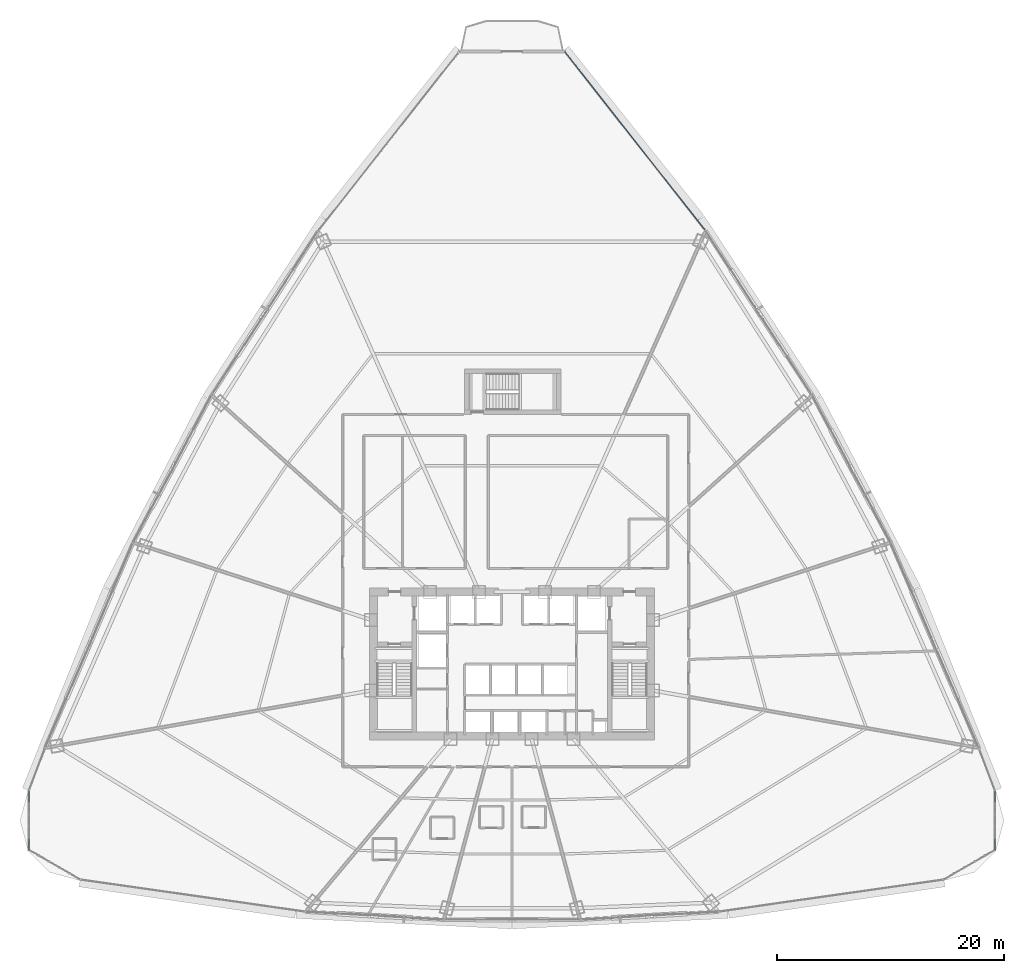
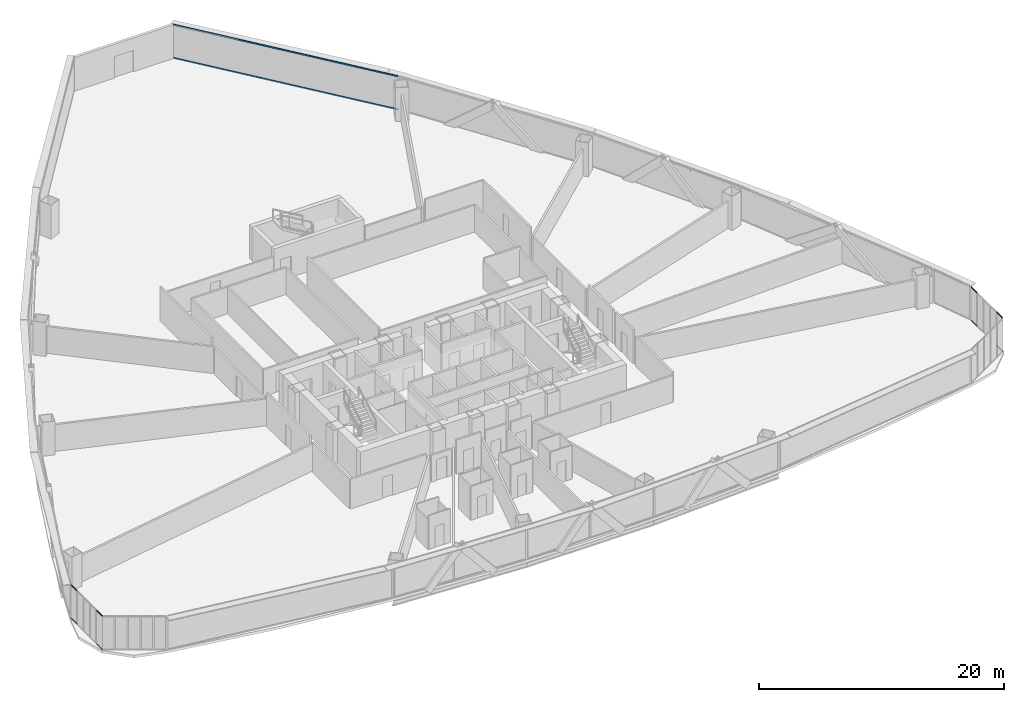
# One storey, part 27 of 40: 10 members, 3 elements without a shape of their own.
"""IFC4 building model written with IfcOpenShell, lengths in metres."""

from ifc_helpers import new_model, si_unit, direction, frame, origin, origin_2d, place, context, subcontext, project, spatial, hollow_rectangle, extrude, source, transform, mapped, material, layer, layer_set, material_profile, profile_set, type_object, element, aggregate, save


model = new_model("IFC4")

# Units and contexts
model_context = context("Model", 3, precision=1e-05, world=origin(), true_north=direction((0.0, 1.0)))
body_context = subcontext(model_context, "Body", "Model", "MODEL_VIEW")
ifc_project = project(units=[si_unit("LENGTHUNIT", "METRE"), si_unit("AREAUNIT", "SQUARE_METRE"), si_unit("VOLUMEUNIT", "CUBIC_METRE"), si_unit("PLANEANGLEUNIT", "RADIAN"), si_unit("MASSUNIT", "GRAM", prefix="KILO"), si_unit("THERMODYNAMICTEMPERATUREUNIT", "KELVIN"), si_unit("POWERUNIT", "WATT")], contexts=[model_context])

# Site, building, storey
site_placement = place(None, origin())
site = spatial("IfcSite", under=ifc_project, at=site_placement, CompositionType="ELEMENT")
building_placement = place(site_placement, origin())
building = spatial("IfcBuilding", under=site, at=building_placement, Name="Yunzhuo Pagoda Commons", CompositionType="ELEMENT")
storey_placement = place(building_placement, frame((0.0, 0.0, 66.699951171875)))
storey = spatial("IfcBuildingStorey", under=building, at=storey_placement, Name="L17", CompositionType="ELEMENT", Elevation=66.699951171875)

# Curtain wall, members
ifc_material = material(Name="Anodized aluminium 6063-T6", Category="aluminium")
ifc_layer_1 = layer(ifc_material, 0.1650390625)
ifc_layer_set_1 = layer_set([ifc_layer_1], Name="Anodized aluminium 6063-T6")
curtain_wall_type_1 = type_object("IfcCurtainWallType", Name="CW-LOW Low-Zone Ribbon Curtain Wall", PredefinedType="NOTDEFINED", material=ifc_layer_set_1)
curtain_wall_1_placement = place(storey_placement, origin())
curtain_wall_1 = element("IfcCurtainWall", 1, at=curtain_wall_1_placement, inside=storey, type_object=curtain_wall_type_1, Name="L17 curtain wall CW-L17-F2B5", PredefinedType="NOTDEFINED")
ifc_material_profile_1 = material_profile(ifc_material, hollow_rectangle(XDim=0.06005859375, YDim=0.139892578125, WallThickness=0.00341796875, at=origin_2d()), Name="Anodized aluminium 6063-T6")
ifc_profile_set_1 = profile_set([ifc_material_profile_1], Name="Anodized aluminium 6063-T6")
member_type_1 = type_object("IfcMemberType", Name="CW-LOW-T Transom RHS 140x60x3.5", PredefinedType="USERDEFINED", material=ifc_profile_set_1)
shared_shape_1 = source(origin(), body_context, "Body", "SweptSolid", [
    extrude(hollow_rectangle(XDim=0.06005859375, YDim=0.139892578125, WallThickness=0.00341796875, at=origin_2d()), origin(), (0.0, 0.0, 1.0), 19.85400390625),
])
member_1_placement = place(storey_placement, frame((64.951416015625, 72.077880859375, 0.0302734375), z_axis=(-0.618169601728, 0.786044746499, 0.0), x_axis=(-0.786044746499, -0.618169601728, 0.0)))
member_1 = element("IfcMember", 2, at=member_1_placement, type_object=member_type_1, Name="CW transom 1.1", ObjectType="TRANSOM", PredefinedType="USERDEFINED", context=body_context, shape_type="MappedRepresentation", body=[
    mapped(shared_shape_1, transform((0.0, 0.0, 0.0), scale=1.0)),
])
member_2_placement = place(storey_placement, frame((64.951416015625, 72.077880859375, 3.340087890625), z_axis=(-0.618169601728, 0.786044746499, 0.0), x_axis=(-0.786044746499, -0.618169601728, 0.0)))
member_2 = element("IfcMember", 3, at=member_2_placement, type_object=member_type_1, Name="CW transom 1.2", ObjectType="TRANSOM", PredefinedType="USERDEFINED", context=body_context, shape_type="MappedRepresentation", body=[
    mapped(shared_shape_1, transform((0.0, 0.0, 0.0), scale=1.0)),
])
aggregate(curtain_wall_1, [member_1, member_2])

ifc_layer_2 = layer(ifc_material, 0.1298828125)
ifc_layer_set_2 = layer_set([ifc_layer_2], Name="Anodized aluminium 6063-T6")
curtain_wall_type_2 = type_object("IfcCurtainWallType", Name="CW-VTX Rounded Corner Curtain Wall", PredefinedType="NOTDEFINED", material=ifc_layer_set_2)
curtain_wall_2_placement = place(storey_placement, origin())
curtain_wall_2 = element("IfcCurtainWall", 4, at=curtain_wall_2_placement, inside=storey, type_object=curtain_wall_type_2, Name="L17 curtain wall CW-L17-VTX1S1", PredefinedType="NOTDEFINED")
ifc_material_profile_2 = material_profile(ifc_material, hollow_rectangle(XDim=0.054931640625, YDim=0.1201171875, WallThickness=0.00341796875, at=origin_2d()), Name="Anodized aluminium 6063-T6")
ifc_profile_set_2 = profile_set([ifc_material_profile_2], Name="Anodized aluminium 6063-T6")
member_type_2 = type_object("IfcMemberType", Name="CW-VTX-T Transom RHS 120x55x3.5", PredefinedType="USERDEFINED", material=ifc_profile_set_2)
shared_shape_2 = source(origin(), body_context, "Body", "SweptSolid", [
    extrude(hollow_rectangle(XDim=0.054931640625, YDim=0.1201171875, WallThickness=0.00341796875, at=origin_2d()), origin(), (0.0, 0.0, 1.0), 0.9716796875),
])
member_3_placement = place(storey_placement, frame((5.5029296875, 22.6533203125, 0.027587890625), z_axis=(-0.003768817455, -0.999992897982, 0.0), x_axis=(0.999992897982, -0.003768817455, 0.0)))
member_3 = element("IfcMember", 5, at=member_3_placement, type_object=member_type_2, Name="CW transom 1.1", ObjectType="TRANSOM", PredefinedType="USERDEFINED", context=body_context, shape_type="MappedRepresentation", body=[
    mapped(shared_shape_2, transform((0.0, 0.0, 0.0), scale=1.0)),
])
member_4_placement = place(storey_placement, frame((5.5029296875, 22.6533203125, 3.3427734375), z_axis=(-0.003768817455, -0.999992897982, 0.0), x_axis=(0.999992897982, -0.003768817455, 0.0)))
member_4 = element("IfcMember", 6, at=member_4_placement, type_object=member_type_2, Name="CW transom 1.2", ObjectType="TRANSOM", PredefinedType="USERDEFINED", context=body_context, shape_type="MappedRepresentation", body=[
    mapped(shared_shape_2, transform((0.0, 0.0, 0.0), scale=1.0)),
])

curtain_wall_3_placement = place(storey_placement, origin())
curtain_wall_3 = element("IfcCurtainWall", 7, at=curtain_wall_3_placement, inside=storey, type_object=curtain_wall_type_2, Name="L17 curtain wall CW-L17-VTX2S2", PredefinedType="NOTDEFINED")
member_5_placement = place(storey_placement, frame((90.500732421875, 21.681640625, 0.027587890625), z_axis=(-0.003266314234, 0.999994665581, 0.0), x_axis=(-0.999994665581, -0.003266314234, 0.0)))
member_5 = element("IfcMember", 8, at=member_5_placement, type_object=member_type_2, Name="CW transom 5.1", ObjectType="TRANSOM", PredefinedType="USERDEFINED", context=body_context, shape_type="MappedRepresentation", body=[
    mapped(shared_shape_2, transform((0.0, 0.0, 0.0), scale=1.0)),
])
member_6_placement = place(storey_placement, frame((90.500732421875, 21.681640625, 3.3427734375), z_axis=(-0.003266314234, 0.999994665581, 0.0), x_axis=(-0.999994665581, -0.003266314234, 0.0)))
member_6 = element("IfcMember", 9, at=member_6_placement, type_object=member_type_2, Name="CW transom 5.2", ObjectType="TRANSOM", PredefinedType="USERDEFINED", context=body_context, shape_type="MappedRepresentation", body=[
    mapped(shared_shape_2, transform((0.0, 0.0, 0.0), scale=1.0)),
])

# Member
shared_shape_3 = source(origin(), body_context, "Body", "SweptSolid", [
    extrude(hollow_rectangle(XDim=0.054931640625, YDim=0.1201171875, WallThickness=0.00341796875, at=origin_2d()), origin(), (0.0, 0.0, 1.0), 0.971435546875),
])
member_7_placement = place(storey_placement, frame((5.48779296875, 18.4638671875, 0.027587890625), z_axis=(-0.003769764618, -0.999992894412, 0.0), x_axis=(0.999992894412, -0.003769764618, 0.0)))
member_7 = element("IfcMember", 10, at=member_7_placement, type_object=member_type_2, Name="CW transom 5.1", ObjectType="TRANSOM", PredefinedType="USERDEFINED", context=body_context, shape_type="MappedRepresentation", body=[
    mapped(shared_shape_3, transform((0.0, 0.0, 0.0), scale=1.0)),
])

member_8_placement = place(storey_placement, frame((5.48779296875, 18.4638671875, 3.3427734375), z_axis=(-0.003769764618, -0.999992894412, 0.0), x_axis=(0.999992894412, -0.003769764618, 0.0)))
member_8 = element("IfcMember", 11, at=member_8_placement, type_object=member_type_2, Name="CW transom 5.2", ObjectType="TRANSOM", PredefinedType="USERDEFINED", context=body_context, shape_type="MappedRepresentation", body=[
    mapped(shared_shape_3, transform((0.0, 0.0, 0.0), scale=1.0)),
])

aggregate(curtain_wall_2, [member_3, member_4, member_7, member_8])

member_9_placement = place(storey_placement, frame((90.515869140625, 17.492431640625, 0.027587890625), z_axis=(-0.003769764618, 0.999992894412, 0.0), x_axis=(-0.999992894412, -0.003769764618, 0.0)))
member_9 = element("IfcMember", 12, at=member_9_placement, type_object=member_type_2, Name="CW transom 1.1", ObjectType="TRANSOM", PredefinedType="USERDEFINED", context=body_context, shape_type="MappedRepresentation", body=[
    mapped(shared_shape_3, transform((0.0, 0.0, 0.0), scale=1.0)),
])

member_10_placement = place(storey_placement, frame((90.515869140625, 17.492431640625, 3.3427734375), z_axis=(-0.003769764618, 0.999992894412, 0.0), x_axis=(-0.999992894412, -0.003769764618, 0.0)))
member_10 = element("IfcMember", 13, at=member_10_placement, type_object=member_type_2, Name="CW transom 1.2", ObjectType="TRANSOM", PredefinedType="USERDEFINED", context=body_context, shape_type="MappedRepresentation", body=[
    mapped(shared_shape_3, transform((0.0, 0.0, 0.0), scale=1.0)),
])

aggregate(curtain_wall_3, [member_9, member_10, member_5, member_6])

save(model, "model.ifc")
